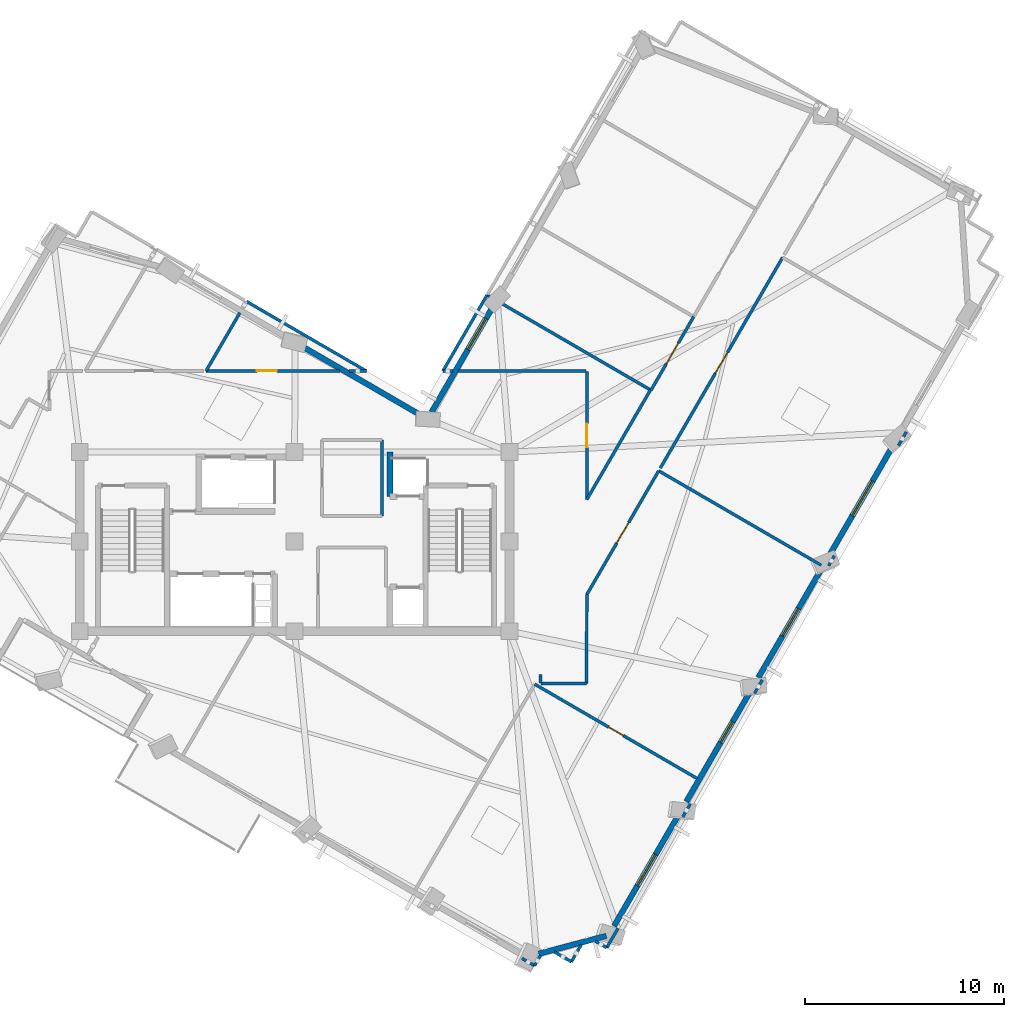
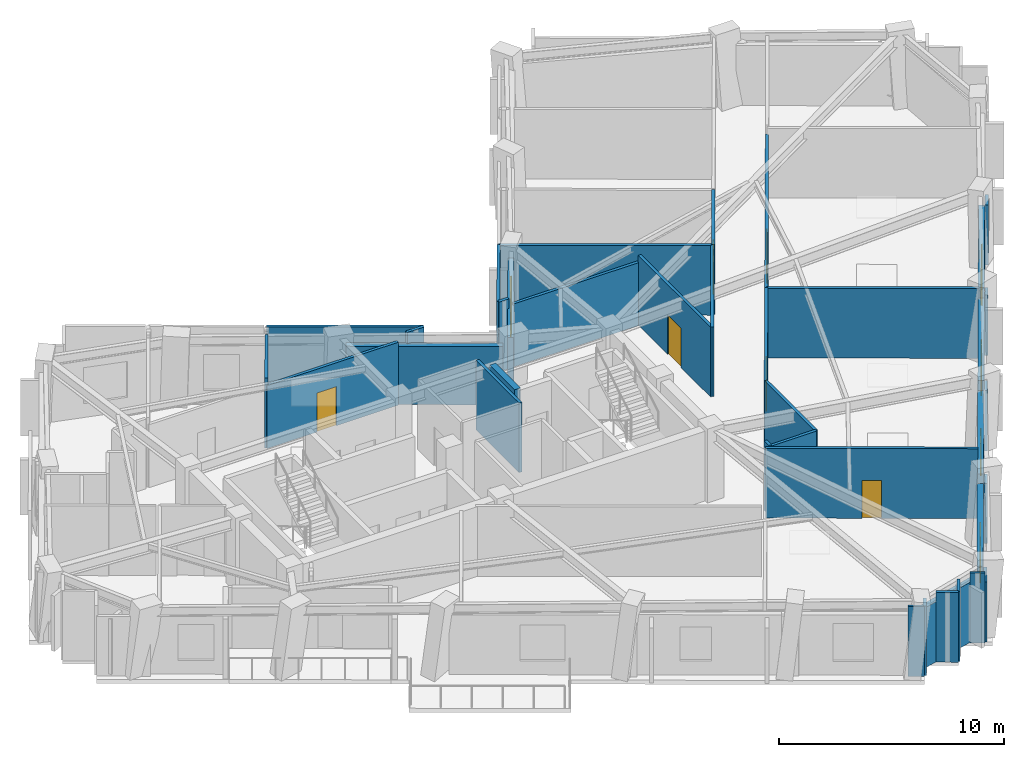
# One storey, part 6 of 12: 37 walls, 6 doors, 5 windows, 11 openings.
"""IFC4 building model written with IfcOpenShell, lengths in metres."""

from ifc_helpers import new_model, si_unit, direction, frame, frame_2d, origin, place, context, subcontext, project, spatial, rectangle, extrude, material, layer, layer_set, type_object, element, fill, save


model = new_model("IFC4")

# Units and contexts
model_context = context("Model", 3, precision=1e-05, world=origin(), true_north=direction((0.0, 1.0)))
body_context = subcontext(model_context, "Body", "Model", "MODEL_VIEW")
ifc_project = project(units=[si_unit("LENGTHUNIT", "METRE"), si_unit("AREAUNIT", "SQUARE_METRE"), si_unit("VOLUMEUNIT", "CUBIC_METRE"), si_unit("PLANEANGLEUNIT", "RADIAN"), si_unit("MASSUNIT", "GRAM", prefix="KILO")], contexts=[model_context])

# Site, building, storey
site_placement = place(None, origin())
site = spatial("IfcSite", under=ifc_project, at=site_placement, CompositionType="ELEMENT")
building_placement = place(site_placement, origin())
building = spatial("IfcBuilding", under=site, at=building_placement, Name="Gaonmaruhae Medical Tower", CompositionType="ELEMENT")
storey_placement = place(building_placement, frame((0.0, 0.0, 280.60009765625)))
storey = spatial("IfcBuildingStorey", under=building, at=storey_placement, Name="L67", CompositionType="ELEMENT", Elevation=280.60009765625)

# Wall, opening, window
ifc_material_1 = material(Name="Precast concrete C45/55", Category="concrete")
ifc_layer_1 = layer(ifc_material_1, 0.280029296875)
ifc_layer_set_1 = layer_set([ifc_layer_1], Name="Precast concrete C45/55")
wall_type_1 = type_object("IfcWallType", Name="EW-280 Upper Precast Masonry-Frame Facade Wall", PredefinedType="SOLIDWALL", material=ifc_layer_set_1)
wall_1_placement = place(storey_placement, frame((44.107421875, -1.409423828125, 0.0), z_axis=(0.0, 0.0, 1.0), x_axis=(-0.502285376379, -0.864701914347, 0.0)))
wall_1 = element("IfcWall", 1, at=wall_1_placement, inside=storey, type_object=wall_type_1, Name="L67 Precast Masonry-Frame Wall S01-S02", PredefinedType="SOLIDWALL", context=body_context, shape_type="SweptSolid", body=[
    extrude(rectangle(XDim=6.484619140625, YDim=0.280029296875, at=frame_2d((3.2421875, 0.0))), origin(), (0.0, 0.0, 1.0), 3.264892578125),
])
opening_1_placement = place(wall_1_placement, frame((2.333984375, 0.0, 0.75)))
opening_1 = element("IfcOpeningElement", 2, at=opening_1_placement, cuts=wall_1, Name="Opening WN-04", PredefinedType="OPENING", context=body_context, shape_type="SweptSolid", body=[
    extrude(rectangle(XDim=1.800048828125, YDim=2.050048828125, at=frame_2d((0.89990234375, 1.02490234375))), frame((0.0, 0.14990234375, 0.0), z_axis=(0.0, -1.0, 0.0), x_axis=(1.0, 0.0, 0.0)), (0.0, 0.0, 1.0), 0.300048828125),
])
ifc_material_2 = material(Name="Anodised aluminium and Low-E double glazing", Category="aluminium")
window_type_1 = type_object("IfcWindowType", Name="WN-04 Clinic & Consult Punched Window 1800x2050", PartitioningType="SINGLE_PANEL", PredefinedType="WINDOW", material=ifc_material_2)
window_1_placement = place(opening_1_placement, origin())
window_1 = element("IfcWindow", 3, at=window_1_placement, inside=storey, type_object=window_type_1, Name="L67 Modular Facade Window S01", OverallHeight=2.050048828125, OverallWidth=1.800048828125, PartitioningType="SINGLE_PANEL", PredefinedType="WINDOW", context=body_context, shape_type="SweptSolid", body=[
    extrude(rectangle(XDim=1.800048828125, YDim=2.050048828125, at=frame_2d((0.89990234375, 1.02490234375))), frame((0.0, 0.030029296875, 0.0), z_axis=(0.0, -1.0, 0.0), x_axis=(1.0, 0.0, 0.0)), (0.0, 0.0, 1.0), 0.06005859375),
])
fill(opening_1, window_1)

wall_2_placement = place(storey_placement, frame((47.71484375, 4.801025390625, 0.0), z_axis=(0.0, 0.0, 1.0), x_axis=(-0.502288269864, -0.864700233582, 0.0)))
wall_2 = element("IfcWall", 4, at=wall_2_placement, inside=storey, type_object=wall_type_1, Name="L67 Precast Masonry-Frame Wall S02-S03", PredefinedType="SOLIDWALL", context=body_context, shape_type="SweptSolid", body=[
    extrude(rectangle(XDim=6.438720703125, YDim=0.280029296875, at=frame_2d((3.21923828125, 0.0))), origin(), (0.0, 0.0, 1.0), 3.264892578125),
])
opening_2_placement = place(wall_2_placement, frame((1.79541015625, 0.0, 0.75)))
opening_2 = element("IfcOpeningElement", 5, at=opening_2_placement, cuts=wall_2, Name="Opening WN-05", PredefinedType="OPENING", context=body_context, shape_type="SweptSolid", body=[
    extrude(rectangle(XDim=1.199951171875, YDim=1.75, at=frame_2d((0.60009765625, 0.875))), frame((0.0, 0.14990234375, 0.0), z_axis=(0.0, -1.0, 0.0), x_axis=(1.0, 0.0, 0.0)), (0.0, 0.0, 1.0), 0.300048828125),
])
window_type_2 = type_object("IfcWindowType", Name="WN-05 Support & Staff Punched Window 1200x1750", PartitioningType="SINGLE_PANEL", PredefinedType="WINDOW", material=ifc_material_2)
window_2_placement = place(opening_2_placement, origin())
window_2 = element("IfcWindow", 6, at=window_2_placement, inside=storey, type_object=window_type_2, Name="L67 Modular Facade Window S02", OverallHeight=1.75, OverallWidth=1.199951171875, PartitioningType="SINGLE_PANEL", PredefinedType="WINDOW", context=body_context, shape_type="SweptSolid", body=[
    extrude(rectangle(XDim=1.199951171875, YDim=1.75, at=frame_2d((0.60009765625, 0.875))), frame((0.0, 0.030029296875, 0.0), z_axis=(0.0, -1.0, 0.0), x_axis=(1.0, 0.0, 0.0)), (0.0, 0.0, 1.0), 0.06005859375),
])
fill(opening_2, window_2)

wall_3_placement = place(storey_placement, frame((51.326904296875, 11.019775390625, 0.0), z_axis=(0.0, 0.0, 1.0), x_axis=(-0.502267756703, -0.86471214897, 0.0)))
wall_3 = element("IfcWall", 7, at=wall_3_placement, inside=storey, type_object=wall_type_1, Name="L67 Precast Masonry-Frame Wall S03-S04", PredefinedType="SOLIDWALL", context=body_context, shape_type="SweptSolid", body=[
    extrude(rectangle(XDim=6.413330078125, YDim=0.280029296875, at=frame_2d((3.20654296875, 0.0))), origin(), (0.0, 0.0, 1.0), 3.264892578125),
])
opening_3_placement = place(wall_3_placement, frame((2.404541015625, 0.0, 0.75)))
opening_3 = element("IfcOpeningElement", 8, at=opening_3_placement, cuts=wall_3, Name="Opening WN-01", PredefinedType="OPENING", context=body_context, shape_type="SweptSolid", body=[
    extrude(rectangle(XDim=1.60009765625, YDim=1.949951171875, at=frame_2d((0.800048828125, 0.97509765625))), frame((0.0, 0.14990234375, 0.0), z_axis=(0.0, -1.0, 0.0), x_axis=(1.0, 0.0, 0.0)), (0.0, 0.0, 1.0), 0.300048828125),
])
window_type_3 = type_object("IfcWindowType", Name="WN-01 Ward Punched Acoustic Window 1600x1950", PartitioningType="SINGLE_PANEL", PredefinedType="WINDOW", material=ifc_material_2)
window_3_placement = place(opening_3_placement, origin())
window_3 = element("IfcWindow", 9, at=window_3_placement, inside=storey, type_object=window_type_3, Name="L67 Modular Facade Window S03", OverallHeight=1.949951171875, OverallWidth=1.60009765625, PartitioningType="SINGLE_PANEL", PredefinedType="WINDOW", context=body_context, shape_type="SweptSolid", body=[
    extrude(rectangle(XDim=1.60009765625, YDim=1.949951171875, at=frame_2d((0.800048828125, 0.97509765625))), frame((0.0, 0.030029296875, 0.0), z_axis=(0.0, -1.0, 0.0), x_axis=(1.0, 0.0, 0.0)), (0.0, 0.0, 1.0), 0.06005859375),
])
fill(opening_3, window_3)

wall_4_placement = place(storey_placement, frame((54.943603515625, 17.246337890625, 0.0), z_axis=(0.0, 0.0, 1.0), x_axis=(-0.50227800112, -0.864706198423, 0.0)))
wall_4 = element("IfcWall", 10, at=wall_4_placement, inside=storey, type_object=wall_type_1, Name="L67 Precast Masonry-Frame Wall S04-S05", PredefinedType="SOLIDWALL", context=body_context, shape_type="SweptSolid", body=[
    extrude(rectangle(XDim=6.40673828125, YDim=0.280029296875, at=frame_2d((3.203369140625, 0.0))), origin(), (0.0, 0.0, 1.0), 3.264892578125),
])
opening_4_placement = place(wall_4_placement, frame((2.203857421875, 0.0, 0.75)))
opening_4 = element("IfcOpeningElement", 11, at=opening_4_placement, cuts=wall_4, Name="Opening WN-02", PredefinedType="OPENING", context=body_context, shape_type="SweptSolid", body=[
    extrude(rectangle(XDim=2.0, YDim=1.949951171875, at=frame_2d((1.0, 0.97509765625))), frame((0.0, 0.14990234375, 0.0), z_axis=(0.0, -1.0, 0.0), x_axis=(1.0, 0.0, 0.0)), (0.0, 0.0, 1.0), 0.300048828125),
])
window_type_4 = type_object("IfcWindowType", Name="WN-02 Double-Bed Ward Punched Window 2000x1950", PartitioningType="SINGLE_PANEL", PredefinedType="WINDOW", material=ifc_material_2)
window_4_placement = place(opening_4_placement, origin())
window_4 = element("IfcWindow", 12, at=window_4_placement, inside=storey, type_object=window_type_4, Name="L67 Modular Facade Window S04", OverallHeight=1.949951171875, OverallWidth=2.0, PartitioningType="SINGLE_PANEL", PredefinedType="WINDOW", context=body_context, shape_type="SweptSolid", body=[
    extrude(rectangle(XDim=2.0, YDim=1.949951171875, at=frame_2d((1.0, 0.97509765625))), frame((0.0, 0.030029296875, 0.0), z_axis=(0.0, -1.0, 0.0), x_axis=(1.0, 0.0, 0.0)), (0.0, 0.0, 1.0), 0.06005859375),
])
fill(opening_4, window_4)

wall_5_placement = place(storey_placement, frame((31.68115234375, 18.80859375, 0.0), z_axis=(0.0, 0.0, 1.0), x_axis=(0.50225314976, 0.864720633243, 0.0)))
wall_5 = element("IfcWall", 13, at=wall_5_placement, inside=storey, type_object=wall_type_1, Name="L67 Precast Masonry-Frame Wall EN02-KN01", PredefinedType="SOLIDWALL", context=body_context, shape_type="SweptSolid", body=[
    extrude(rectangle(XDim=6.158203125, YDim=0.280029296875, at=frame_2d((3.0791015625, 0.0))), origin(), (0.0, 0.0, 1.0), 3.264892578125),
])
opening_5_placement = place(wall_5_placement, frame((3.6416015625, 0.0, 0.75)))
opening_5 = element("IfcOpeningElement", 14, at=opening_5_placement, cuts=wall_5, Name="Opening WN-04", PredefinedType="OPENING", context=body_context, shape_type="SweptSolid", body=[
    extrude(rectangle(XDim=1.800048828125, YDim=2.050048828125, at=frame_2d((0.89990234375, 1.02490234375))), frame((0.0, 0.14990234375, 0.0), z_axis=(0.0, -1.0, 0.0), x_axis=(1.0, 0.0, 0.0)), (0.0, 0.0, 1.0), 0.300048828125),
])
window_5_placement = place(opening_5_placement, origin())
window_5 = element("IfcWindow", 15, at=window_5_placement, inside=storey, type_object=window_type_1, Name="L67 Modular Facade Window EN02", OverallHeight=2.050048828125, OverallWidth=1.800048828125, PartitioningType="SINGLE_PANEL", PredefinedType="WINDOW", context=body_context, shape_type="SweptSolid", body=[
    extrude(rectangle(XDim=1.800048828125, YDim=2.050048828125, at=frame_2d((0.89990234375, 1.02490234375))), frame((0.0, 0.030029296875, 0.0), z_axis=(0.0, -1.0, 0.0), x_axis=(1.0, 0.0, 0.0)), (0.0, 0.0, 1.0), 0.06005859375),
])
fill(opening_5, window_5)

# Walls
wall_6_placement = place(storey_placement, frame((25.1640625, 22.125244140625, 0.0), z_axis=(0.0, 0.0, 1.0), x_axis=(0.864712756105, -0.502266711448, 0.0)))
element("IfcWall", 16, at=wall_6_placement, inside=storey, type_object=wall_type_1, Name="L67 Precast Masonry-Frame Wall KN01-NE01", PredefinedType="SOLIDWALL", context=body_context, shape_type="SweptSolid", body=[
    extrude(rectangle(XDim=6.958251953125, YDim=0.280029296875, at=frame_2d((3.47900390625, 0.0))), origin(), (0.0, 0.0, 1.0), 3.164794921875),
])
wall_7_placement = place(storey_placement, frame((40.46484375, -7.506103515625, 0.0), z_axis=(0.0, 0.0, 1.0), x_axis=(-0.966597677738, -0.256298516172, 0.0)))
element("IfcWall", 17, at=wall_7_placement, inside=storey, type_object=wall_type_1, Name="L67 Precast Masonry-Frame Wall W06-S01", PredefinedType="SOLIDWALL", context=body_context, shape_type="SweptSolid", body=[
    extrude(rectangle(XDim=3.520751953125, YDim=0.280029296875, at=frame_2d((1.76025390625, 0.0))), origin(), (0.0, 0.0, 1.0), 3.264892578125),
])
ifc_material_3 = material(Name="Gypsum board partition", Category="gypsum")
ifc_layer_2 = layer(ifc_material_3, 0.14990234375)
ifc_layer_set_2 = layer_set([ifc_layer_2], Name="Gypsum board partition")
wall_type_2 = type_object("IfcWallType", Name="PW-150 Rated Clinical Corridor Partition", PredefinedType="PARTITIONING", material=ifc_layer_set_2)
wall_8_placement = place(storey_placement, frame((29.179931640625, 17.419921875, 0.0), z_axis=(0.0, 0.0, 1.0), x_axis=(0.0, -1.0, 0.0)))
element("IfcWall", 18, at=wall_8_placement, inside=storey, type_object=wall_type_2, Name="L67 Interior Partition L67-RCL2-6", PredefinedType="PARTITIONING", context=body_context, shape_type="SweptSolid", body=[
    extrude(rectangle(XDim=3.81982421875, YDim=0.14990234375, at=frame_2d((1.909912109375, 0.0))), origin(), (0.0, 0.0, 1.0), 3.77978515625),
])
wall_9_placement = place(storey_placement, frame((38.7080078125, -8.81298828125, 0.0), z_axis=(0.0, 0.0, 1.0), x_axis=(-0.864691975753, 0.502302485629, 0.0)))
element("IfcWall", 19, at=wall_9_placement, inside=storey, type_object=wall_type_2, Name="L67 Interior Partition L67-SUP01-8", PredefinedType="PARTITIONING", context=body_context, shape_type="SweptSolid", body=[
    extrude(rectangle(XDim=0.987548828125, YDim=0.14990234375, at=frame_2d((0.49365234375, 0.0))), origin(), (0.0, 0.0, 1.0), 3.77978515625),
])
wall_10_placement = place(storey_placement, frame((37.154052734375, -8.5029296875, 0.0), z_axis=(0.0, 0.0, 1.0), x_axis=(-0.50234600368, -0.864666694506, 0.0)))
element("IfcWall", 20, at=wall_10_placement, inside=storey, type_object=wall_type_2, Name="L67 Interior Partition L67-SUP01-9", PredefinedType="PARTITIONING", context=body_context, shape_type="SweptSolid", body=[
    extrude(rectangle(XDim=0.587646484375, YDim=0.14990234375, at=frame_2d((0.2939453125, 0.0))), origin(), (0.0, 0.0, 1.0), 3.77978515625),
])
wall_11_placement = place(storey_placement, frame((36.85888671875, -9.010986328125, 0.0), z_axis=(0.0, 0.0, 1.0), x_axis=(-0.865108770854, 0.501584304571, 0.0)))
element("IfcWall", 21, at=wall_11_placement, inside=storey, type_object=wall_type_2, Name="L67 Interior Partition L67-SUP01-10", PredefinedType="PARTITIONING", context=body_context, shape_type="SweptSolid", body=[
    extrude(rectangle(XDim=0.7373046875, YDim=0.14990234375, at=frame_2d((0.36865234375, 0.0))), origin(), (0.0, 0.0, 1.0), 3.77978515625),
])

# Wall, opening, door
wall_12_placement = place(storey_placement, frame((36.866943359375, 5.138916015625, 0.0), z_axis=(0.0, 0.0, 1.0), x_axis=(0.864716809852, -0.502259732369, 0.0)))
wall_12 = element("IfcWall", 22, at=wall_12_placement, inside=storey, type_object=wall_type_2, Name="L67 Interior Partition L67-SUP01-13", PredefinedType="PARTITIONING", context=body_context, shape_type="SweptSolid", body=[
    extrude(rectangle(XDim=9.435302734375, YDim=0.14990234375, at=frame_2d((4.7177734375, 0.0))), origin(), (0.0, 0.0, 1.0), 3.77978515625),
])
opening_6_placement = place(wall_12_placement, frame((4.28759765625, 0.0, 0.0)))
opening_6 = element("IfcOpeningElement", 23, at=opening_6_placement, cuts=wall_12, Name="Opening AD-01", PredefinedType="OPENING", context=body_context, shape_type="SweptSolid", body=[
    extrude(rectangle(XDim=0.860107421875, YDim=2.06005859375, at=frame_2d((0.43017578125, 1.030029296875))), frame((0.0, 0.0849609375, 0.0), z_axis=(0.0, -1.0, 0.0), x_axis=(1.0, 0.0, 0.0)), (0.0, 0.0, 1.0), 0.169921875),
])
ifc_material_4 = material(Name="Powder-coated steel access door", Category="steel")
door_type_1 = type_object("IfcDoorType", Name="AD-01 Riser & Closet Access Fire Door 860x2060", OperationType="NOTDEFINED", PredefinedType="DOOR", material=ifc_material_4)
door_1_placement = place(opening_6_placement, origin())
door_1 = element("IfcDoor", 24, at=door_1_placement, inside=storey, type_object=door_type_1, Name="L67 Clinical Biomedical Charting Office Sliding Door", OperationType="SLIDING_TO_LEFT", OverallHeight=2.06005859375, OverallWidth=0.860107421875, PredefinedType="DOOR", context=body_context, shape_type="SweptSolid", body=[
    extrude(rectangle(XDim=0.860107421875, YDim=2.06005859375, at=frame_2d((0.43017578125, 1.030029296875))), frame((0.0, 0.02490234375, 0.0), z_axis=(0.0, -1.0, 0.0), x_axis=(1.0, 0.0, 0.0)), (0.0, 0.0, 1.0), 0.050048828125),
])
fill(opening_6, door_1)

# Walls
wall_13_placement = place(storey_placement, frame((44.679931640625, -0.882080078125, 0.0), z_axis=(0.0, 0.0, 1.0), x_axis=(-0.502911414614, -0.864337959973, 0.0)))
element("IfcWall", 25, at=wall_13_placement, inside=storey, type_object=wall_type_2, Name="L67 Interior Partition L67-SUP01-14", PredefinedType="PARTITIONING", context=body_context, shape_type="SweptSolid", body=[
    extrude(rectangle(XDim=0.74365234375, YDim=0.14990234375, at=frame_2d((0.371826171875, 0.0))), origin(), (0.0, 0.0, 1.0), 3.264892578125),
])
wall_14_placement = place(storey_placement, frame((41.049072265625, -7.132080078125, 0.0), z_axis=(0.0, 0.0, 1.0), x_axis=(-0.502109444954, -0.864804084916, 0.0)))
element("IfcWall", 26, at=wall_14_placement, inside=storey, type_object=wall_type_2, Name="L67 Interior Partition L67-SUP01-15", PredefinedType="PARTITIONING", context=body_context, shape_type="SweptSolid", body=[
    extrude(rectangle(XDim=1.12939453125, YDim=0.14990234375, at=frame_2d((0.564697265625, 0.0))), origin(), (0.0, 0.0, 1.0), 3.264892578125),
])
wall_15_placement = place(storey_placement, frame((40.48193359375, -8.10888671875, 0.0), z_axis=(0.0, 0.0, 1.0), x_axis=(-0.864799199429, 0.502117859338, 0.0)))
element("IfcWall", 27, at=wall_15_placement, inside=storey, type_object=wall_type_2, Name="L67 Interior Partition L67-SUP01-16", PredefinedType="PARTITIONING", context=body_context, shape_type="SweptSolid", body=[
    extrude(rectangle(XDim=0.6669921875, YDim=0.14990234375, at=frame_2d((0.33349609375, 0.0))), origin(), (0.0, 0.0, 1.0), 3.77978515625),
])
wall_16_placement = place(storey_placement, frame((39.2041015625, -7.958984375, 0.0), z_axis=(0.0, 0.0, 1.0), x_axis=(-0.502302485629, -0.864691975753, 0.0)))
element("IfcWall", 28, at=wall_16_placement, inside=storey, type_object=wall_type_2, Name="L67 Interior Partition L67-SUP01-17", PredefinedType="PARTITIONING", context=body_context, shape_type="SweptSolid", body=[
    extrude(rectangle(XDim=0.987548828125, YDim=0.14990234375, at=frame_2d((0.49365234375, 0.0))), origin(), (0.0, 0.0, 1.0), 3.77978515625),
])
wall_17_placement = place(storey_placement, frame((37.179931640625, 5.169921875, 0.0), z_axis=(0.0, 0.0, 1.0), x_axis=(0.999975377948, 0.007017371073, 0.0)))
element("IfcWall", 29, at=wall_17_placement, inside=storey, type_object=wall_type_2, Name="L67 Interior Partition L67-SUP02-18", PredefinedType="PARTITIONING", context=body_context, shape_type="SweptSolid", body=[
    extrude(rectangle(XDim=2.296142578125, YDim=0.14990234375, at=frame_2d((1.14794921875, 0.0))), origin(), (0.0, 0.0, 1.0), 3.77978515625),
])
wall_18_placement = place(storey_placement, frame((39.47607421875, 5.18603515625, 0.0), z_axis=(0.0, 0.0, 1.0), x_axis=(0.000877433169, 0.999999615055, 0.0)))
element("IfcWall", 30, at=wall_18_placement, inside=storey, type_object=wall_type_2, Name="L67 Interior Partition L67-SUP02-19", PredefinedType="PARTITIONING", context=body_context, shape_type="SweptSolid", body=[
    extrude(rectangle(XDim=4.451904296875, YDim=0.14990234375, at=frame_2d((2.22607421875, 0.0))), origin(), (0.0, 0.0, 1.0), 3.77978515625),
])

# Wall, opening, door
wall_19_placement = place(storey_placement, frame((39.47998046875, 9.637939453125, 0.0), z_axis=(0.0, 0.0, 1.0), x_axis=(0.502237798626, 0.864729549415, 0.0)))
wall_19 = element("IfcWall", 31, at=wall_19_placement, inside=storey, type_object=wall_type_2, Name="L67 Interior Partition L67-SUP02-20", PredefinedType="PARTITIONING", context=body_context, shape_type="SweptSolid", body=[
    extrude(rectangle(XDim=7.19775390625, YDim=0.14990234375, at=frame_2d((3.598876953125, 0.0))), origin(), (0.0, 0.0, 1.0), 3.77978515625),
])
opening_7_placement = place(wall_19_placement, frame((2.998779296875, 0.0, 0.0)))
opening_7 = element("IfcOpeningElement", 32, at=opening_7_placement, cuts=wall_19, Name="Opening CD-02", PredefinedType="OPENING", context=body_context, shape_type="SweptSolid", body=[
    extrude(rectangle(XDim=1.199951171875, YDim=2.14990234375, at=frame_2d((0.60009765625, 1.074951171875))), frame((0.0, 0.0849609375, 0.0), z_axis=(0.0, -1.0, 0.0), x_axis=(1.0, 0.0, 0.0)), (0.0, 0.0, 1.0), 0.169921875),
])
ifc_material_5 = material(Name="Antimicrobial laminate timber fire door", Category="wood")
door_type_2 = type_object("IfcDoorType", Name="CD-02 Clinical Treatment & Procedure Door 1200x2150", OperationType="NOTDEFINED", PredefinedType="DOOR", material=ifc_material_5)
door_2_placement = place(opening_7_placement, origin())
door_2 = element("IfcDoor", 33, at=door_2_placement, inside=storey, type_object=door_type_2, Name="L67 Clinical Biomedical Charting Office Door", OperationType="SINGLE_SWING_LEFT", OverallHeight=2.14990234375, OverallWidth=1.199951171875, PredefinedType="DOOR", context=body_context, shape_type="SweptSolid", body=[
    extrude(rectangle(XDim=1.199951171875, YDim=2.14990234375, at=frame_2d((0.60009765625, 1.074951171875))), frame((0.0, 0.02490234375, 0.0), z_axis=(0.0, -1.0, 0.0), x_axis=(1.0, 0.0, 0.0)), (0.0, 0.0, 1.0), 0.050048828125),
])
fill(opening_7, door_2)

# Walls
wall_20_placement = place(storey_placement, frame((43.094970703125, 15.862060546875, 0.0), z_axis=(0.0, 0.0, 1.0), x_axis=(0.864729577588, -0.502237750119, 0.0)))
element("IfcWall", 34, at=wall_20_placement, inside=storey, type_object=wall_type_2, Name="L67 Interior Partition L67-SUP02-21", PredefinedType="PARTITIONING", context=body_context, shape_type="SweptSolid", body=[
    extrude(rectangle(XDim=9.447998046875, YDim=0.14990234375, at=frame_2d((4.72412109375, 0.0))), origin(), (0.0, 0.0, 1.0), 3.77978515625),
])
wall_21_placement = place(storey_placement, frame((48.303955078125, 5.35888671875, 0.0), z_axis=(0.0, 0.0, 1.0), x_axis=(-0.501370369817, -0.86523277346, 0.0)))
element("IfcWall", 35, at=wall_21_placement, inside=storey, type_object=wall_type_2, Name="L67 Interior Partition L67-SUP02-22", PredefinedType="PARTITIONING", context=body_context, shape_type="SweptSolid", body=[
    extrude(rectangle(XDim=0.777587890625, YDim=0.14990234375, at=frame_2d((0.388671875, 0.0))), origin(), (0.0, 0.0, 1.0), 3.264892578125),
])
wall_22_placement = place(storey_placement, frame((37.14990234375, 5.6259765625, 0.0), z_axis=(0.0, 0.0, 1.0), x_axis=(0.0, -1.0, 0.0)))
element("IfcWall", 36, at=wall_22_placement, inside=storey, type_object=wall_type_2, Name="L67 Interior Partition L67-SUP02-23", PredefinedType="PARTITIONING", context=body_context, shape_type="SweptSolid", body=[
    extrude(rectangle(XDim=0.428955078125, YDim=0.14990234375, at=frame_2d((0.21435546875, 0.0))), origin(), (0.0, 0.0, 1.0), 3.77978515625),
])

# Wall, opening, door
wall_23_placement = place(storey_placement, frame((43.176025390625, 16.0, 0.0), z_axis=(0.0, 0.0, 1.0), x_axis=(0.502223094905, 0.864738089218, 0.0)))
wall_23 = element("IfcWall", 37, at=wall_23_placement, inside=storey, type_object=wall_type_2, Name="L67 Interior Partition L67-SUP03-24", PredefinedType="PARTITIONING", context=body_context, shape_type="SweptSolid", body=[
    extrude(rectangle(XDim=12.239501953125, YDim=0.14990234375, at=frame_2d((6.11962890625, 0.0))), origin(), (0.0, 0.0, 1.0), 3.414794921875),
])
opening_8_placement = place(wall_23_placement, frame((5.519775390625, 0.0, 0.0)))
opening_8 = element("IfcOpeningElement", 38, at=opening_8_placement, cuts=wall_23, Name="Opening CD-02", PredefinedType="OPENING", context=body_context, shape_type="SweptSolid", body=[
    extrude(rectangle(XDim=1.199951171875, YDim=2.14990234375, at=frame_2d((0.60009765625, 1.074951171875))), frame((0.0, 0.0849609375, 0.0), z_axis=(0.0, -1.0, 0.0), x_axis=(1.0, 0.0, 0.0)), (0.0, 0.0, 1.0), 0.169921875),
])
door_3_placement = place(opening_8_placement, origin())
door_3 = element("IfcDoor", 39, at=door_3_placement, inside=storey, type_object=door_type_2, Name="L67 Clinical Biomedical Charting Office Door", OperationType="SINGLE_SWING_RIGHT", OverallHeight=2.14990234375, OverallWidth=1.199951171875, PredefinedType="DOOR", context=body_context, shape_type="SweptSolid", body=[
    extrude(rectangle(XDim=1.199951171875, YDim=2.14990234375, at=frame_2d((0.60009765625, 1.074951171875))), frame((0.0, 0.02490234375, 0.0), z_axis=(0.0, -1.0, 0.0), x_axis=(1.0, 0.0, 0.0)), (0.0, 0.0, 1.0), 0.050048828125),
])
fill(opening_8, door_3)

# Walls
wall_24_placement = place(storey_placement, frame((55.5400390625, 17.81494140625, 0.0), z_axis=(0.0, 0.0, 1.0), x_axis=(-0.502969023227, -0.864304438074, 0.0)))
element("IfcWall", 40, at=wall_24_placement, inside=storey, type_object=wall_type_2, Name="L67 Interior Partition L67-SUP03-26", PredefinedType="PARTITIONING", context=body_context, shape_type="SweptSolid", body=[
    extrude(rectangle(XDim=0.791259765625, YDim=0.14990234375, at=frame_2d((0.3955078125, 0.0))), origin(), (0.0, 0.0, 1.0), 3.264892578125),
])
wall_25_placement = place(storey_placement, frame((51.924072265625, 11.591064453125, 0.0), z_axis=(0.0, 0.0, 1.0), x_axis=(-0.501912770939, -0.864918244904, 0.0)))
element("IfcWall", 41, at=wall_25_placement, inside=storey, type_object=wall_type_2, Name="L67 Interior Partition L67-SUP03-27", PredefinedType="PARTITIONING", context=body_context, shape_type="SweptSolid", body=[
    extrude(rectangle(XDim=0.581787109375, YDim=0.14990234375, at=frame_2d((0.291015625, 0.0))), origin(), (0.0, 0.0, 1.0), 3.264892578125),
])
wall_26_placement = place(storey_placement, frame((39.449951171875, 20.8798828125, 0.0), z_axis=(0.0, 0.0, 1.0), x_axis=(-1.0, 0.0, 0.0)))
element("IfcWall", 42, at=wall_26_placement, inside=storey, type_object=wall_type_2, Name="L67 Interior Partition L67-IE01-52", PredefinedType="PARTITIONING", context=body_context, shape_type="SweptSolid", body=[
    extrude(rectangle(XDim=6.432861328125, YDim=0.14990234375, at=frame_2d((3.21630859375, 0.0))), origin(), (0.0, 0.0, 1.0), 3.414794921875),
])
wall_27_placement = place(storey_placement, frame((32.7509765625, 20.8798828125, 0.0), z_axis=(0.0, 0.0, 1.0), x_axis=(-1.0, 0.0, 0.0)))
element("IfcWall", 43, at=wall_27_placement, inside=storey, type_object=wall_type_2, Name="L67 Interior Partition L67-IE01-53", PredefinedType="PARTITIONING", context=body_context, shape_type="SweptSolid", body=[
    extrude(rectangle(XDim=0.5029296875, YDim=0.14990234375, at=frame_2d((0.25146484375, 0.0))), origin(), (0.0, 0.0, 1.0), 3.77978515625),
])
wall_28_placement = place(storey_placement, frame((32.248046875, 20.8798828125, 0.0), z_axis=(0.0, 0.0, 1.0), x_axis=(0.502312909272, 0.864685920539, 0.0)))
element("IfcWall", 44, at=wall_28_placement, inside=storey, type_object=wall_type_2, Name="L67 Interior Partition L67-IE01-54", PredefinedType="PARTITIONING", context=body_context, shape_type="SweptSolid", body=[
    extrude(rectangle(XDim=4.41552734375, YDim=0.14990234375, at=frame_2d((2.207763671875, 0.0))), origin(), (0.0, 0.0, 1.0), 3.77978515625),
])
wall_29_placement = place(storey_placement, frame((34.466064453125, 24.697998046875, 0.0), z_axis=(0.0, 0.0, 1.0), x_axis=(0.864739263201, -0.50222107351, 0.0)))
element("IfcWall", 45, at=wall_29_placement, inside=storey, type_object=wall_type_2, Name="L67 Interior Partition L67-IE01-55", PredefinedType="PARTITIONING", context=body_context, shape_type="SweptSolid", body=[
    extrude(rectangle(XDim=9.499755859375, YDim=0.14990234375, at=frame_2d((4.75, 0.0))), origin(), (0.0, 0.0, 1.0), 3.77978515625),
])
wall_30_placement = place(storey_placement, frame((42.680908203125, 19.927001953125, 0.0), z_axis=(0.0, 0.0, 1.0), x_axis=(-0.502252880546, -0.86472078961, 0.0)))
element("IfcWall", 46, at=wall_30_placement, inside=storey, type_object=wall_type_2, Name="L67 Interior Partition L67-IE01-56", PredefinedType="PARTITIONING", context=body_context, shape_type="SweptSolid", body=[
    extrude(rectangle(XDim=6.373046875, YDim=0.14990234375, at=frame_2d((3.1865234375, 0.0))), origin(), (0.0, 0.0, 1.0), 3.77978515625),
])

# Wall, opening, door
wall_31_placement = place(storey_placement, frame((39.47998046875, 14.416015625, 0.0), z_axis=(0.0, 0.0, 1.0), x_axis=(0.0, 1.0, 0.0)))
wall_31 = element("IfcWall", 47, at=wall_31_placement, inside=storey, type_object=wall_type_2, Name="L67 Interior Partition L67-IE01-57", PredefinedType="PARTITIONING", context=body_context, shape_type="SweptSolid", body=[
    extrude(rectangle(XDim=6.43701171875, YDim=0.14990234375, at=frame_2d((3.218505859375, 0.0))), origin(), (0.0, 0.0, 1.0), 3.77978515625),
])
opening_9_placement = place(wall_31_placement, frame((2.618408203125, 0.0, 0.0)))
opening_9 = element("IfcOpeningElement", 48, at=opening_9_placement, cuts=wall_31, Name="Opening CD-02", PredefinedType="OPENING", context=body_context, shape_type="SweptSolid", body=[
    extrude(rectangle(XDim=1.199951171875, YDim=2.14990234375, at=frame_2d((0.60009765625, 1.074951171875))), frame((0.0, 0.0849609375, 0.0), z_axis=(0.0, -1.0, 0.0), x_axis=(1.0, 0.0, 0.0)), (0.0, 0.0, 1.0), 0.169921875),
])
door_4_placement = place(opening_9_placement, origin())
door_4 = element("IfcDoor", 49, at=door_4_placement, inside=storey, type_object=door_type_2, Name="L67 Central Clinical Nurse Station Door", OperationType="SINGLE_SWING_RIGHT", OverallHeight=2.14990234375, OverallWidth=1.199951171875, PredefinedType="DOOR", context=body_context, shape_type="SweptSolid", body=[
    extrude(rectangle(XDim=1.199951171875, YDim=2.14990234375, at=frame_2d((0.60009765625, 1.074951171875))), frame((0.0, 0.02490234375, 0.0), z_axis=(0.0, -1.0, 0.0), x_axis=(1.0, 0.0, 0.0)), (0.0, 0.0, 1.0), 0.050048828125),
])
fill(opening_9, door_4)

# Walls
wall_32_placement = place(storey_placement, frame((20.347900390625, 20.8798828125, 0.0), z_axis=(0.0, 0.0, 1.0), x_axis=(0.502294056982, 0.864696871927, 0.0)))
element("IfcWall", 50, at=wall_32_placement, inside=storey, type_object=wall_type_2, Name="L67 Interior Partition L67-IN01-58", PredefinedType="PARTITIONING", context=body_context, shape_type="SweptSolid", body=[
    extrude(rectangle(XDim=3.38037109375, YDim=0.14990234375, at=frame_2d((1.690185546875, 0.0))), origin(), (0.0, 0.0, 1.0), 3.77978515625),
])
wall_33_placement = place(storey_placement, frame((22.3798828125, 24.3779296875, 0.0), z_axis=(0.0, 0.0, 1.0), x_axis=(0.864744754374, -0.502211618527, 0.0)))
element("IfcWall", 51, at=wall_33_placement, inside=storey, type_object=wall_type_2, Name="L67 Interior Partition L67-IN01-60", PredefinedType="PARTITIONING", context=body_context, shape_type="SweptSolid", body=[
    extrude(rectangle(XDim=6.96533203125, YDim=0.14990234375, at=frame_2d((3.482666015625, 0.0))), origin(), (0.0, 0.0, 1.0), 3.77978515625),
])
wall_34_placement = place(storey_placement, frame((28.403076171875, 20.8798828125, 0.0), z_axis=(0.0, 0.0, 1.0), x_axis=(-1.0, 0.0, 0.0)))
element("IfcWall", 52, at=wall_34_placement, inside=storey, type_object=wall_type_2, Name="L67 Interior Partition L67-IN01-61", PredefinedType="PARTITIONING", context=body_context, shape_type="SweptSolid", body=[
    extrude(rectangle(XDim=0.865966796875, YDim=0.14990234375, at=frame_2d((0.43310546875, 0.0))), origin(), (0.0, 0.0, 1.0), 3.77978515625),
])

# Wall, opening, door
wall_35_placement = place(storey_placement, frame((27.0791015625, 20.8798828125, 0.0), z_axis=(0.0, 0.0, 1.0), x_axis=(-1.0, 0.0, 0.0)))
wall_35 = element("IfcWall", 53, at=wall_35_placement, inside=storey, type_object=wall_type_2, Name="L67 Interior Partition L67-IN01-62", PredefinedType="PARTITIONING", context=body_context, shape_type="SweptSolid", body=[
    extrude(rectangle(XDim=6.731201171875, YDim=0.14990234375, at=frame_2d((3.36572265625, 0.0))), origin(), (0.0, 0.0, 1.0), 3.414794921875),
])
opening_10_placement = place(wall_35_placement, frame((3.17578125, 0.0, 0.0)))
opening_10 = element("IfcOpeningElement", 54, at=opening_10_placement, cuts=wall_35, Name="Opening CD-01", PredefinedType="OPENING", context=body_context, shape_type="SweptSolid", body=[
    extrude(rectangle(XDim=1.0, YDim=2.1201171875, at=frame_2d((0.5, 1.06005859375))), frame((0.0, 0.0849609375, 0.0), z_axis=(0.0, -1.0, 0.0), x_axis=(1.0, 0.0, 0.0)), (0.0, 0.0, 1.0), 0.169921875),
])
door_type_3 = type_object("IfcDoorType", Name="CD-01 Consultation & Physician Office Door 1000x2120", OperationType="NOTDEFINED", PredefinedType="DOOR", material=ifc_material_5)
door_5_placement = place(opening_10_placement, origin())
door_5 = element("IfcDoor", 55, at=door_5_placement, inside=storey, type_object=door_type_3, Name="L67 Physician Consultation Office Door", OperationType="SINGLE_SWING_RIGHT", OverallHeight=2.1201171875, OverallWidth=1.0, PredefinedType="DOOR", context=body_context, shape_type="SweptSolid", body=[
    extrude(rectangle(XDim=1.0, YDim=2.1201171875, at=frame_2d((0.5, 1.06005859375))), frame((0.0, 0.02490234375, 0.0), z_axis=(0.0, -1.0, 0.0), x_axis=(1.0, 0.0, 0.0)), (0.0, 0.0, 1.0), 0.050048828125),
])
fill(opening_10, door_5)

wall_36_placement = place(storey_placement, frame((44.85302734375, 23.60693359375, 0.0), z_axis=(0.0, 0.0, 1.0), x_axis=(-0.502243030772, -0.864726510546, 0.0)))
wall_36 = element("IfcWall", 56, at=wall_36_placement, inside=storey, type_object=wall_type_2, Name="L67 Interior Partition L67-RM04-86", PredefinedType="PARTITIONING", context=body_context, shape_type="SweptSolid", body=[
    extrude(rectangle(XDim=4.272705078125, YDim=0.14990234375, at=frame_2d((2.13623046875, 0.0))), origin(), (0.0, 0.0, 1.0), 3.77978515625),
])
opening_11_placement = place(wall_36_placement, frame((1.53662109375, 0.0, 0.0)))
opening_11 = element("IfcOpeningElement", 57, at=opening_11_placement, cuts=wall_36, Name="Opening CD-02", PredefinedType="OPENING", context=body_context, shape_type="SweptSolid", body=[
    extrude(rectangle(XDim=1.199951171875, YDim=2.14990234375, at=frame_2d((0.60009765625, 1.074951171875))), frame((0.0, 0.0849609375, 0.0), z_axis=(0.0, -1.0, 0.0), x_axis=(1.0, 0.0, 0.0)), (0.0, 0.0, 1.0), 0.169921875),
])
door_6_placement = place(opening_11_placement, origin())
door_6 = element("IfcDoor", 58, at=door_6_placement, inside=storey, type_object=door_type_2, Name="L67 Clinical Records Office Door", OperationType="SINGLE_SWING_LEFT", OverallHeight=2.14990234375, OverallWidth=1.199951171875, PredefinedType="DOOR", context=body_context, shape_type="SweptSolid", body=[
    extrude(rectangle(XDim=1.199951171875, YDim=2.14990234375, at=frame_2d((0.60009765625, 1.074951171875))), frame((0.0, 0.02490234375, 0.0), z_axis=(0.0, -1.0, 0.0), x_axis=(1.0, 0.0, 0.0)), (0.0, 0.0, 1.0), 0.050048828125),
])
fill(opening_11, door_6)

# Wall
ifc_material_6 = material(Name="Concrete C50/60", Category="concrete")
ifc_layer_3 = layer(ifc_material_6, 0.300048828125)
ifc_layer_set_3 = layer_set([ifc_layer_3], Name="Concrete C50/60")
wall_type_3 = type_object("IfcWallType", Name="SW-300 Stair & Lift Hoistway Shaft Wall", PredefinedType="SOLIDWALL", material=ifc_layer_set_3)
wall_37_placement = place(storey_placement, frame((29.60009765625, 14.580078125, 0.0), z_axis=(0.0, 0.0, 1.0), x_axis=(0.0, 1.0, 0.0)))
element("IfcWall", 59, at=wall_37_placement, inside=storey, type_object=wall_type_3, Name="L67 Shaft Enclosure Wall SHW-PLD2", PredefinedType="SOLIDWALL", context=body_context, shape_type="SweptSolid", body=[
    extrude(rectangle(XDim=2.219970703125, YDim=0.300048828125, at=frame_2d((1.10986328125, 0.0))), origin(), (0.0, 0.0, 1.0), 3.77978515625),
])

save(model, "model.ifc")
